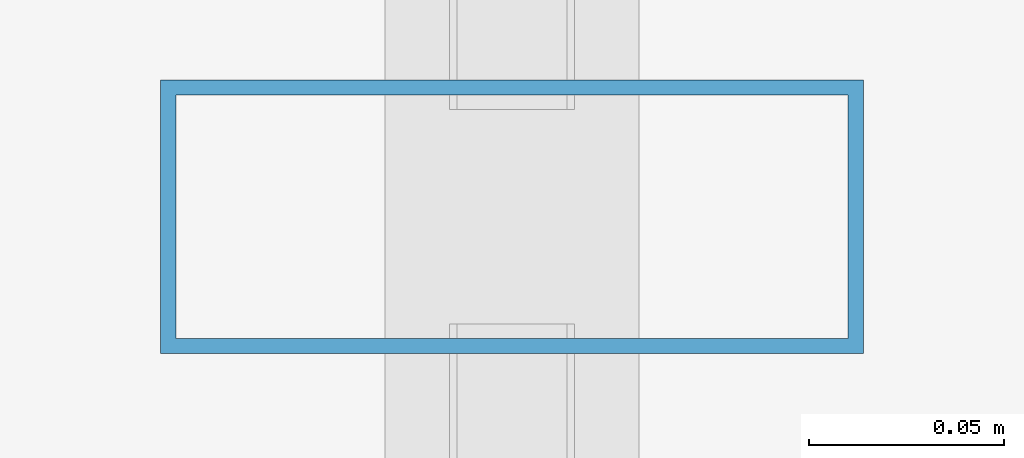
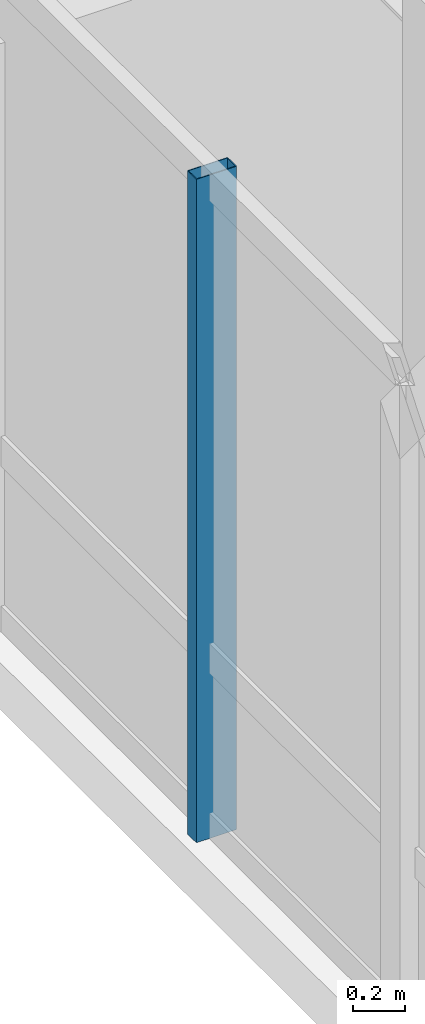
# One storey, part 12 of 37: 1 member, 1 element without a shape of its own.
"""IFC4 building model written with IfcOpenShell, lengths in metres."""

from ifc_helpers import new_model, si_unit, direction, frame, origin, origin_2d, place, context, subcontext, project, spatial, hollow_rectangle, extrude, material, layer, layer_set, material_profile, profile_set, type_object, element, aggregate, save


model = new_model("IFC4")

# Units and contexts
model_context = context("Model", 3, precision=1e-05, world=origin(), true_north=direction((0.0, 1.0)))
body_context = subcontext(model_context, "Body", "Model", "MODEL_VIEW")
ifc_project = project(units=[si_unit("LENGTHUNIT", "METRE"), si_unit("AREAUNIT", "SQUARE_METRE"), si_unit("VOLUMEUNIT", "CUBIC_METRE"), si_unit("PLANEANGLEUNIT", "RADIAN"), si_unit("MASSUNIT", "GRAM", prefix="KILO")], contexts=[model_context])

# Site, building, storey
site_placement = place(None, origin())
site = spatial("IfcSite", under=ifc_project, at=site_placement, CompositionType="ELEMENT")
building_placement = place(site_placement, origin())
building = spatial("IfcBuilding", under=site, at=building_placement, Name="Hatsunagi Terrace Concourse", CompositionType="ELEMENT")
storey_placement = place(building_placement, frame((0.0, 0.0, 50.0)))
storey = spatial("IfcBuildingStorey", under=building, at=storey_placement, Name="L12", CompositionType="ELEMENT", Elevation=50.0)

# Curtain wall, member
ifc_material_1 = material(Name="Anodised Aluminium Alloy 6063-T5", Category="aluminium")
ifc_layer = layer(ifc_material_1, 0.199951171875)
ifc_layer_set = layer_set([ifc_layer], Name="HotelFacade_CW02")
curtain_wall_type = type_object("IfcCurtainWallType", Name="HotelFacade_CW02", PredefinedType="NOTDEFINED", material=ifc_layer_set)
curtain_wall_placement = place(storey_placement, origin())
curtain_wall = element("IfcCurtainWall", 1, at=curtain_wall_placement, inside=storey, type_object=curtain_wall_type, Name="Unitised Curtain Wall CW-02 CW-L12-09", PredefinedType="NOTDEFINED")
ifc_material_2 = material(Name="Anodised Aluminium Alloy 6063-T5", Category="aluminium")
ifc_material_profile = material_profile(ifc_material_2, hollow_rectangle(XDim=0.070068359375, YDim=0.179931640625, WallThickness=0.00390625, at=origin_2d()), Name="ALU-MUL-180x70x4")
ifc_profile_set = profile_set([ifc_material_profile], Name="Anodised Aluminium Alloy 6063-T5")
member_type = type_object("IfcMemberType", Name="CurtainWallMullion_180x70", PredefinedType="MULLION", material=ifc_profile_set)
member_placement = place(storey_placement, frame((0.139892578125, 36.89990234375, 0.0), z_axis=(0.0, 0.0, 1.0), x_axis=(0.0, 1.0, 0.0)))
member = element("IfcMember", 2, at=member_placement, type_object=member_type, Name="Curtain Wall Mullion MUL-02", PredefinedType="MULLION", context=body_context, shape_type="SweptSolid", body=[
    extrude(hollow_rectangle(XDim=0.070068359375, YDim=0.179931640625, WallThickness=0.00390625, at=origin_2d()), origin(), (0.0, 0.0, 1.0), 3.1298828125),
])
aggregate(curtain_wall, [member])

save(model, "model.ifc")
